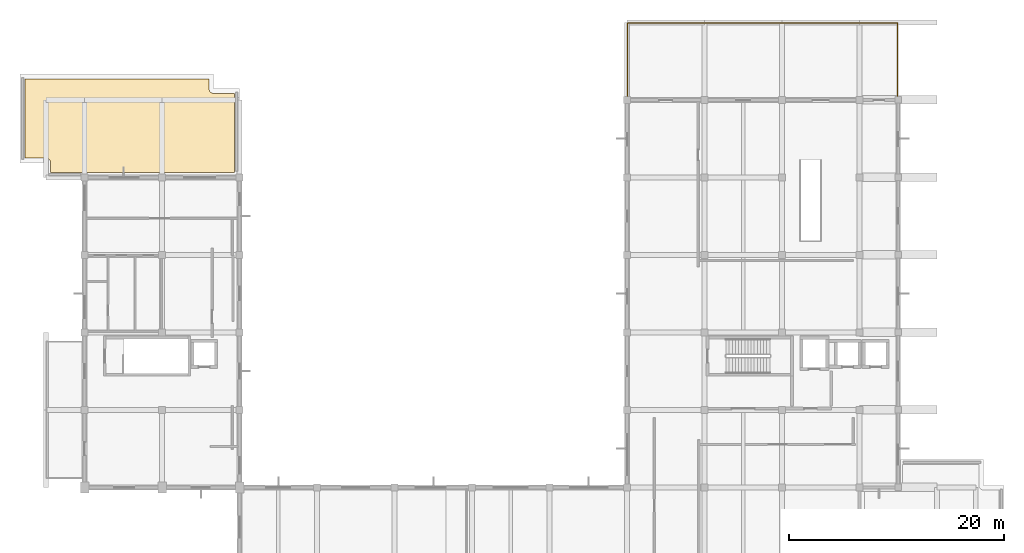
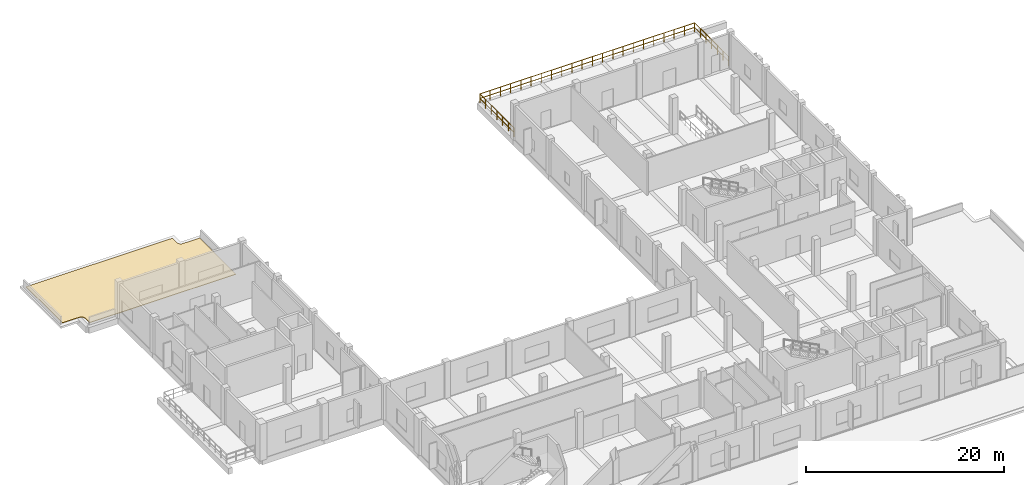
# One storey, part 16 of 16: 3 railings, 1 covering.
"""IFC4 building model written with IfcOpenShell, lengths in metres."""

from ifc_helpers import new_model, si_unit, direction, frame, origin, origin_2d, place, context, subcontext, project, spatial, polyline, circle, outline, extrude, material, layer, layer_set, type_object, element, save


model = new_model("IFC4")

# Units and contexts
model_context = context("Model", 3, precision=1e-05, world=origin(), true_north=direction((0.0, 1.0)))
body_context = subcontext(model_context, "Body", "Model", "MODEL_VIEW")
ifc_project = project(units=[si_unit("LENGTHUNIT", "METRE"), si_unit("AREAUNIT", "SQUARE_METRE"), si_unit("VOLUMEUNIT", "CUBIC_METRE"), si_unit("PLANEANGLEUNIT", "RADIAN"), si_unit("MASSUNIT", "GRAM", prefix="KILO")], contexts=[model_context])

# Site, building, storey
site_placement = place(None, origin())
site = spatial("IfcSite", under=ifc_project, at=site_placement, CompositionType="ELEMENT")
building_placement = place(site_placement, origin())
building = spatial("IfcBuilding", under=site, at=building_placement, Name="Seraya Terrace Polytechnic", CompositionType="ELEMENT")
storey_placement = place(building_placement, frame((0.0, 0.0, 23.39990234375)))
storey = spatial("IfcBuildingStorey", under=building, at=storey_placement, Name="L05", CompositionType="ELEMENT", Elevation=23.39990234375)

# Railings
ifc_material_1 = material(Name="Steel S355J2", Category="steel")
railing_type = type_object("IfcRailingType", Name="GR-01", PredefinedType="GUARDRAIL", material=ifc_material_1)
railing_1_placement = place(storey_placement, frame((104.340087890625, 65.0400390625, 0.0)))
element("IfcRailing", 1, at=railing_1_placement, inside=storey, type_object=railing_type, Name="Terrace perimeter guardrail TERR-L05-N E1", PredefinedType="GUARDRAIL", context=body_context, shape_type="SweptSolid", body=[
    extrude(circle(Radius=0.02392578125, at=origin_2d()), frame((0.0, 0.0, 1.10595703125), z_axis=(0.0, 1.0, 0.0), x_axis=(-1.0, 0.0, 0.0)), (0.0, 0.0, 1.0), 6.89990234375),
    extrude(circle(Radius=0.02392578125, at=origin_2d()), frame((0.0, 0.0, 0.550048828125), z_axis=(0.0, 1.0, 0.0), x_axis=(-1.0, 0.0, 0.0)), (0.0, 0.0, 1.0), 6.89990234375),
    extrude(circle(Radius=0.02099609375, at=origin_2d()), origin(), (0.0, 0.0, 1.0), 1.081787109375),
    extrude(circle(Radius=0.02099609375, at=origin_2d()), frame((0.0, 1.14990234375, 0.0)), (0.0, 0.0, 1.0), 1.081787109375),
    extrude(circle(Radius=0.02099609375, at=origin_2d()), frame((0.0, 2.300048828125, 0.0)), (0.0, 0.0, 1.0), 1.081787109375),
    extrude(circle(Radius=0.02099609375, at=origin_2d()), frame((0.0, 3.449951171875, 0.0)), (0.0, 0.0, 1.0), 1.081787109375),
    extrude(circle(Radius=0.02099609375, at=origin_2d()), frame((0.0, 4.599853515625, 0.0)), (0.0, 0.0, 1.0), 1.081787109375),
    extrude(circle(Radius=0.02099609375, at=origin_2d()), frame((0.0, 5.75, 0.0)), (0.0, 0.0, 1.0), 1.081787109375),
    extrude(circle(Radius=0.02099609375, at=origin_2d()), frame((0.0, 6.89990234375, 0.0)), (0.0, 0.0, 1.0), 1.081787109375),
])
railing_2_placement = place(storey_placement, frame((104.340087890625, 71.93994140625, 0.0)))
element("IfcRailing", 2, at=railing_2_placement, inside=storey, type_object=railing_type, Name="Terrace perimeter guardrail TERR-L05-N N1", PredefinedType="GUARDRAIL", context=body_context, shape_type="SweptSolid", body=[
    extrude(circle(Radius=0.02392578125, at=origin_2d()), frame((0.0, 0.0, 1.10595703125), z_axis=(-1.0, 0.0, 0.0), x_axis=(0.0, -1.0, 0.0)), (0.0, 0.0, 1.0), 25.080078125),
    extrude(circle(Radius=0.02392578125, at=origin_2d()), frame((0.0, 0.0, 0.550048828125), z_axis=(-1.0, 0.0, 0.0), x_axis=(0.0, -1.0, 0.0)), (0.0, 0.0, 1.0), 25.080078125),
    extrude(circle(Radius=0.02099609375, at=origin_2d()), origin(), (0.0, 0.0, 1.0), 1.081787109375),
    extrude(circle(Radius=0.02099609375, at=origin_2d()), frame((-1.1943359375, 0.0, 0.0)), (0.0, 0.0, 1.0), 1.081787109375),
    extrude(circle(Radius=0.02099609375, at=origin_2d()), frame((-2.388671875, 0.0, 0.0)), (0.0, 0.0, 1.0), 1.081787109375),
    extrude(circle(Radius=0.02099609375, at=origin_2d()), frame((-3.582763671875, 0.0, 0.0)), (0.0, 0.0, 1.0), 1.081787109375),
    extrude(circle(Radius=0.02099609375, at=origin_2d()), frame((-4.777099609375, 0.0, 0.0)), (0.0, 0.0, 1.0), 1.081787109375),
    extrude(circle(Radius=0.02099609375, at=origin_2d()), frame((-5.971435546875, 0.0, 0.0)), (0.0, 0.0, 1.0), 1.081787109375),
    extrude(circle(Radius=0.02099609375, at=origin_2d()), frame((-7.165771484375, 0.0, 0.0)), (0.0, 0.0, 1.0), 1.081787109375),
    extrude(circle(Radius=0.02099609375, at=origin_2d()), frame((-8.360107421875, 0.0, 0.0)), (0.0, 0.0, 1.0), 1.081787109375),
    extrude(circle(Radius=0.02099609375, at=origin_2d()), frame((-9.55419921875, 0.0, 0.0)), (0.0, 0.0, 1.0), 1.081787109375),
    extrude(circle(Radius=0.02099609375, at=origin_2d()), frame((-10.74853515625, 0.0, 0.0)), (0.0, 0.0, 1.0), 1.081787109375),
    extrude(circle(Radius=0.02099609375, at=origin_2d()), frame((-11.94287109375, 0.0, 0.0)), (0.0, 0.0, 1.0), 1.081787109375),
    extrude(circle(Radius=0.02099609375, at=origin_2d()), frame((-13.13720703125, 0.0, 0.0)), (0.0, 0.0, 1.0), 1.081787109375),
    extrude(circle(Radius=0.02099609375, at=origin_2d()), frame((-14.33154296875, 0.0, 0.0)), (0.0, 0.0, 1.0), 1.081787109375),
    extrude(circle(Radius=0.02099609375, at=origin_2d()), frame((-15.52587890625, 0.0, 0.0)), (0.0, 0.0, 1.0), 1.081787109375),
    extrude(circle(Radius=0.02099609375, at=origin_2d()), frame((-16.719970703125, 0.0, 0.0)), (0.0, 0.0, 1.0), 1.081787109375),
    extrude(circle(Radius=0.02099609375, at=origin_2d()), frame((-17.914306640625, 0.0, 0.0)), (0.0, 0.0, 1.0), 1.081787109375),
    extrude(circle(Radius=0.02099609375, at=origin_2d()), frame((-19.108642578125, 0.0, 0.0)), (0.0, 0.0, 1.0), 1.081787109375),
    extrude(circle(Radius=0.02099609375, at=origin_2d()), frame((-20.302978515625, 0.0, 0.0)), (0.0, 0.0, 1.0), 1.081787109375),
    extrude(circle(Radius=0.02099609375, at=origin_2d()), frame((-21.497314453125, 0.0, 0.0)), (0.0, 0.0, 1.0), 1.081787109375),
    extrude(circle(Radius=0.02099609375, at=origin_2d()), frame((-22.69140625, 0.0, 0.0)), (0.0, 0.0, 1.0), 1.081787109375),
    extrude(circle(Radius=0.02099609375, at=origin_2d()), frame((-23.8857421875, 0.0, 0.0)), (0.0, 0.0, 1.0), 1.081787109375),
    extrude(circle(Radius=0.02099609375, at=origin_2d()), frame((-25.080078125, 0.0, 0.0)), (0.0, 0.0, 1.0), 1.081787109375),
])
railing_3_placement = place(storey_placement, frame((79.260009765625, 71.93994140625, 0.0)))
element("IfcRailing", 3, at=railing_3_placement, inside=storey, type_object=railing_type, Name="Terrace perimeter guardrail TERR-L05-N W1", PredefinedType="GUARDRAIL", context=body_context, shape_type="SweptSolid", body=[
    extrude(circle(Radius=0.02392578125, at=origin_2d()), frame((0.0, 0.0, 1.10595703125), z_axis=(0.0, -1.0, 0.0), x_axis=(1.0, 0.0, 0.0)), (0.0, 0.0, 1.0), 6.89990234375),
    extrude(circle(Radius=0.02392578125, at=origin_2d()), frame((0.0, 0.0, 0.550048828125), z_axis=(0.0, -1.0, 0.0), x_axis=(1.0, 0.0, 0.0)), (0.0, 0.0, 1.0), 6.89990234375),
    extrude(circle(Radius=0.02099609375, at=origin_2d()), origin(), (0.0, 0.0, 1.0), 1.081787109375),
    extrude(circle(Radius=0.02099609375, at=origin_2d()), frame((0.0, -1.14990234375, 0.0)), (0.0, 0.0, 1.0), 1.081787109375),
    extrude(circle(Radius=0.02099609375, at=origin_2d()), frame((0.0, -2.300048828125, 0.0)), (0.0, 0.0, 1.0), 1.081787109375),
    extrude(circle(Radius=0.02099609375, at=origin_2d()), frame((0.0, -3.449951171875, 0.0)), (0.0, 0.0, 1.0), 1.081787109375),
    extrude(circle(Radius=0.02099609375, at=origin_2d()), frame((0.0, -4.599853515625, 0.0)), (0.0, 0.0, 1.0), 1.081787109375),
    extrude(circle(Radius=0.02099609375, at=origin_2d()), frame((0.0, -5.75, 0.0)), (0.0, 0.0, 1.0), 1.081787109375),
    extrude(circle(Radius=0.02099609375, at=origin_2d()), frame((0.0, -6.89990234375, 0.0)), (0.0, 0.0, 1.0), 1.081787109375),
])

# Covering
ifc_material_2 = material(Name="Insulated TPO waterproof roofing membrane")
ifc_layer = layer(ifc_material_2, 0.06005859375, Name="RF-C1")
ifc_layer_set = layer_set([ifc_layer], Name="Insulated TPO waterproof roofing membrane")
covering_type = type_object("IfcCoveringType", Name="RF-C1", PredefinedType="ROOFING", material=ifc_layer_set)
covering_placement = place(storey_placement, origin())
element("IfcCovering", 4, at=covering_placement, inside=storey, type_object=covering_type, Name="Waterproof TPO roof covering ROOF-L05-WEST", PredefinedType="ROOFING", context=body_context, shape_type="SweptSolid", body=[
    extrude(outline(polyline([(25.64990234375, 58.944091796875), (25.630615234375, 59.07470703125), (25.5478515625, 59.2294921875), (25.412109375, 59.3408203125), (25.287841796875, 59.385498046875), (23.25, 59.39404296875), (23.25, 66.75), (40.35009765625, 66.75), (40.358642578125, 65.768310546875), (40.42578125, 65.60595703125), (40.514404296875, 65.508056640625), (40.587890625, 65.458984375), (40.712158203125, 65.41455078125), (40.800048828125, 65.406005859375), (42.75, 65.406005859375), (42.75, 58.050048828125), (25.64990234375, 58.050048828125), (25.64990234375, 58.944091796875)])), origin(), (0.0, 0.0, 1.0), 0.06005859375),
])

save(model, "model.ifc")
